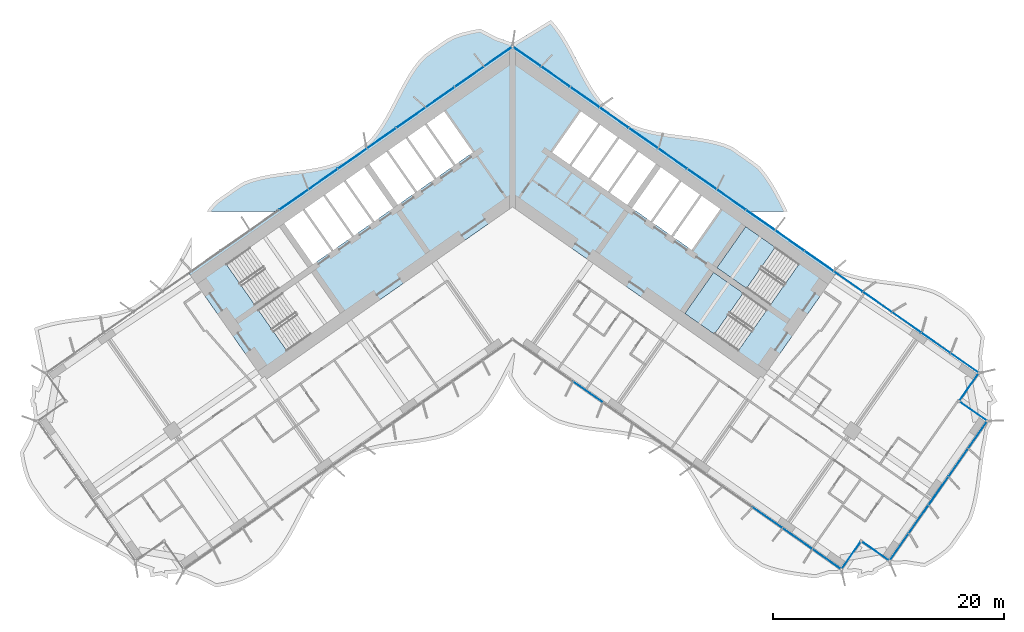
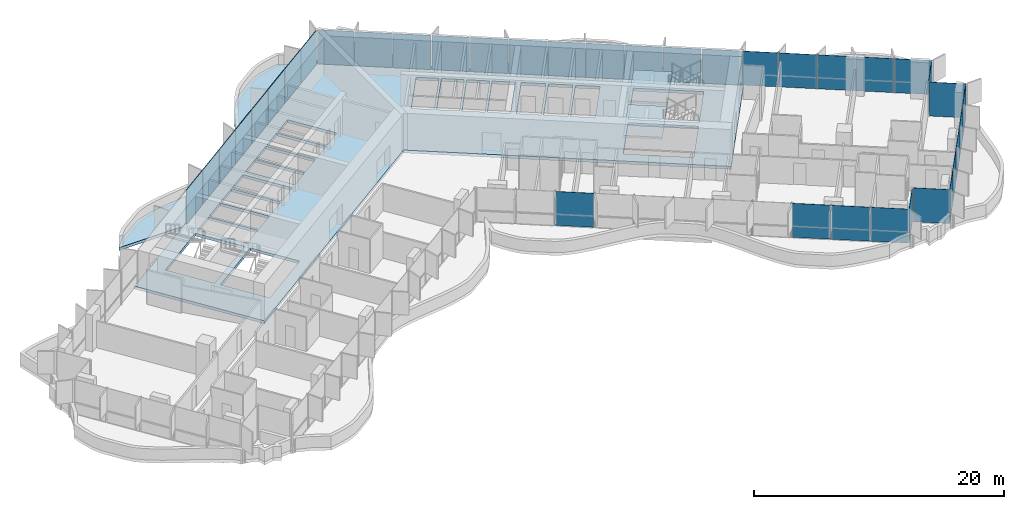
# One storey, part 11 of 23: 37 plates, 4 slabs, 4 elements without a shape of their own.
"""IFC4 building model written with IfcOpenShell, lengths in metres."""

from ifc_helpers import new_model, si_unit, direction, frame, origin, origin_2d, place, context, subcontext, project, spatial, polyline, rectangle, outline, extrude, material, layer, layer_set, type_object, element, aggregate, save


model = new_model("IFC4")

# Units and contexts
model_context = context("Model", 3, precision=1e-05, world=origin(), true_north=direction((0.0, 1.0)))
body_context = subcontext(model_context, "Body", "Model", "MODEL_VIEW")
ifc_project = project(units=[si_unit("LENGTHUNIT", "METRE"), si_unit("AREAUNIT", "SQUARE_METRE"), si_unit("VOLUMEUNIT", "CUBIC_METRE"), si_unit("PLANEANGLEUNIT", "RADIAN"), si_unit("MASSUNIT", "GRAM", prefix="KILO")], contexts=[model_context])

# Site, building, storey
site_placement = place(None, origin())
site = spatial("IfcSite", under=ifc_project, at=site_placement, CompositionType="ELEMENT")
building_placement = place(site_placement, origin())
building = spatial("IfcBuilding", under=site, at=building_placement, Name="Tel Ilan Convention Tower", CompositionType="ELEMENT")
storey_placement = place(building_placement, frame((0.0, 0.0, 119.300048828125)))
storey = spatial("IfcBuildingStorey", under=building, at=storey_placement, Name="L26", CompositionType="ELEMENT", Elevation=119.300048828125)

# Curtain wall, plates
ifc_material_1 = material(Name="Aluminium, bronze anodised", Category="aluminium")
curtain_wall_type_1 = type_object("IfcCurtainWallType", Name="CW1 UNITISED CURTAIN WALL, HOTEL TINTED GLASS", PredefinedType="NOTDEFINED", material=ifc_material_1)
curtain_wall_1_placement = place(storey_placement, origin())
curtain_wall_1 = element("IfcCurtainWall", 1, at=curtain_wall_1_placement, inside=storey, type_object=curtain_wall_type_1, Name="Curtain wall CW1-20.02", PredefinedType="NOTDEFINED")
ifc_material_2 = material(Name="Glass, bronze tinted, two-ply unitised", Category="glass")
ifc_layer_1 = layer(ifc_material_2, 0.028076171875)
ifc_layer_set_1 = layer_set([ifc_layer_1], Name="CW HOTEL GLASS PANEL 28")
plate_type_1 = type_object("IfcPlateType", Name="CW HOTEL GLASS PANEL 28", PredefinedType="CURTAIN_PANEL", material=ifc_layer_set_1)
plate_1_placement = place(storey_placement, frame((6.544921875, -17.27880859375, 0.0), z_axis=(0.0, 0.0, 1.0), x_axis=(0.819152044289, -0.573576436351, 0.0)))
plate_1 = element("IfcPlate", 2, at=plate_1_placement, type_object=plate_type_1, Name="Glass panel", PredefinedType="CURTAIN_PANEL", context=body_context, shape_type="SweptSolid", body=[
    extrude(rectangle(XDim=3.10791015625, YDim=0.028076171875, at=origin_2d()), origin(), (0.0, 0.0, 1.0), 3.320068359375),
])
plate_2_placement = place(storey_placement, frame((22.115478515625, -28.181396484375, 0.0), z_axis=(0.0, 0.0, 1.0), x_axis=(0.819152044289, -0.573576436351, 0.0)))
plate_2 = element("IfcPlate", 3, at=plate_2_placement, type_object=plate_type_1, Name="Glass panel", PredefinedType="CURTAIN_PANEL", context=body_context, shape_type="SweptSolid", body=[
    extrude(rectangle(XDim=3.10791015625, YDim=0.028076171875, at=origin_2d()), origin(), (0.0, 0.0, 1.0), 3.320068359375),
])
plate_3_placement = place(storey_placement, frame((24.71044921875, -29.99853515625, 0.0), z_axis=(0.0, 0.0, 1.0), x_axis=(0.819152044289, -0.573576436351, 0.0)))
plate_3 = element("IfcPlate", 4, at=plate_3_placement, type_object=plate_type_1, Name="Glass panel", PredefinedType="CURTAIN_PANEL", context=body_context, shape_type="SweptSolid", body=[
    extrude(rectangle(XDim=3.10791015625, YDim=0.028076171875, at=origin_2d()), origin(), (0.0, 0.0, 1.0), 3.320068359375),
])
plate_4_placement = place(storey_placement, frame((27.26708984375, -31.78857421875, 0.0), z_axis=(0.0, 0.0, 1.0), x_axis=(0.819152044289, -0.573576436351, 0.0)))
plate_4 = element("IfcPlate", 5, at=plate_4_placement, type_object=plate_type_1, Name="Glass panel", PredefinedType="CURTAIN_PANEL", context=body_context, shape_type="SweptSolid", body=[
    extrude(rectangle(XDim=3.013916015625, YDim=0.028076171875, at=origin_2d()), origin(), (0.0, 0.0, 1.0), 3.320068359375),
])
plate_5_placement = place(storey_placement, frame((29.359375, -31.469482421875, 0.0), z_axis=(0.0, 0.0, 1.0), x_axis=(0.573576436351, 0.819152044289, 0.0)))
plate_5 = element("IfcPlate", 6, at=plate_5_placement, type_object=plate_type_1, Name="Glass panel", PredefinedType="CURTAIN_PANEL", context=body_context, shape_type="SweptSolid", body=[
    extrude(rectangle(XDim=2.875, YDim=0.028076171875, at=origin_2d()), origin(), (0.0, 0.0, 1.0), 3.320068359375),
])
plate_6_placement = place(storey_placement, frame((31.502197265625, -31.091796875, 0.0), z_axis=(0.0, 0.0, 1.0), x_axis=(0.819152044289, -0.573576436351, 0.0)))
plate_6 = element("IfcPlate", 7, at=plate_6_placement, type_object=plate_type_1, Name="Glass panel", PredefinedType="CURTAIN_PANEL", context=body_context, shape_type="SweptSolid", body=[
    extrude(rectangle(XDim=2.875, YDim=0.028076171875, at=origin_2d()), origin(), (0.0, 0.0, 1.0), 3.320068359375),
])
plate_7_placement = place(storey_placement, frame((33.529296875, -30.74462890625, 0.0), z_axis=(0.0, 0.0, 1.0), x_axis=(0.573576436351, 0.819152044289, 0.0)))
plate_7 = element("IfcPlate", 8, at=plate_7_placement, type_object=plate_type_1, Name="Glass panel", PredefinedType="CURTAIN_PANEL", context=body_context, shape_type="SweptSolid", body=[
    extrude(rectangle(XDim=2.845947265625, YDim=0.028076171875, at=origin_2d()), origin(), (0.0, 0.0, 1.0), 3.320068359375),
])
plate_8_placement = place(storey_placement, frame((35.22314453125, -28.32568359375, 0.0), z_axis=(0.0, 0.0, 1.0), x_axis=(0.573576436351, 0.819152044289, 0.0)))
plate_8 = element("IfcPlate", 9, at=plate_8_placement, type_object=plate_type_1, Name="Glass panel", PredefinedType="CURTAIN_PANEL", context=body_context, shape_type="SweptSolid", body=[
    extrude(rectangle(XDim=2.93994140625, YDim=0.028076171875, at=origin_2d()), origin(), (0.0, 0.0, 1.0), 3.320068359375),
])
plate_9_placement = place(storey_placement, frame((36.94384765625, -25.868408203125, 0.0), z_axis=(0.0, 0.0, 1.0), x_axis=(0.573576436351, 0.819152044289, 0.0)))
plate_9 = element("IfcPlate", 10, at=plate_9_placement, type_object=plate_type_1, Name="Glass panel", PredefinedType="CURTAIN_PANEL", context=body_context, shape_type="SweptSolid", body=[
    extrude(rectangle(XDim=2.93994140625, YDim=0.028076171875, at=origin_2d()), origin(), (0.0, 0.0, 1.0), 3.320068359375),
])
plate_10_placement = place(storey_placement, frame((38.66455078125, -23.410888671875, 0.0), z_axis=(0.0, 0.0, 1.0), x_axis=(0.573576436351, 0.819152044289, 0.0)))
plate_10 = element("IfcPlate", 11, at=plate_10_placement, type_object=plate_type_1, Name="Glass panel", PredefinedType="CURTAIN_PANEL", context=body_context, shape_type="SweptSolid", body=[
    extrude(rectangle(XDim=2.93994140625, YDim=0.028076171875, at=origin_2d()), origin(), (0.0, 0.0, 1.0), 3.320068359375),
])
plate_11_placement = place(storey_placement, frame((40.358154296875, -20.991943359375, 0.0), z_axis=(0.0, 0.0, 1.0), x_axis=(0.573576436351, 0.819152044289, 0.0)))
plate_11 = element("IfcPlate", 12, at=plate_11_placement, type_object=plate_type_1, Name="Glass panel", PredefinedType="CURTAIN_PANEL", context=body_context, shape_type="SweptSolid", body=[
    extrude(rectangle(XDim=2.845947265625, YDim=0.028076171875, at=origin_2d()), origin(), (0.0, 0.0, 1.0), 3.320068359375),
])
plate_12_placement = place(storey_placement, frame((39.990966796875, -18.96826171875, 0.0), z_axis=(0.0, 0.0, 1.0), x_axis=(-0.819152044289, 0.573576436351, 0.0)))
plate_12 = element("IfcPlate", 13, at=plate_12_placement, type_object=plate_type_1, Name="Glass panel", PredefinedType="CURTAIN_PANEL", context=body_context, shape_type="SweptSolid", body=[
    extrude(rectangle(XDim=2.875, YDim=0.028076171875, at=origin_2d()), origin(), (0.0, 0.0, 1.0), 3.320068359375),
])
plate_13_placement = place(storey_placement, frame((39.61328125, -16.82568359375, 0.0), z_axis=(0.0, 0.0, 1.0), x_axis=(0.573576436351, 0.819152044289, 0.0)))
plate_13 = element("IfcPlate", 14, at=plate_13_placement, type_object=plate_type_1, Name="Glass panel", PredefinedType="CURTAIN_PANEL", context=body_context, shape_type="SweptSolid", body=[
    extrude(rectangle(XDim=2.875, YDim=0.028076171875, at=origin_2d()), origin(), (0.0, 0.0, 1.0), 3.320068359375),
])
plate_14_placement = place(storey_placement, frame((39.2265625, -14.7705078125, 0.0), z_axis=(0.0, 0.0, 1.0), x_axis=(-0.819152044289, 0.573576436351, 0.0)))
plate_14 = element("IfcPlate", 15, at=plate_14_placement, type_object=plate_type_1, Name="Glass panel", PredefinedType="CURTAIN_PANEL", context=body_context, shape_type="SweptSolid", body=[
    extrude(rectangle(XDim=2.943115234375, YDim=0.028076171875, at=origin_2d()), origin(), (0.0, 0.0, 1.0), 3.320068359375),
])
plate_15_placement = place(storey_placement, frame((36.72802734375, -13.021240234375, 0.0), z_axis=(0.0, 0.0, 1.0), x_axis=(-0.819152044289, 0.573576436351, 0.0)))
plate_15 = element("IfcPlate", 16, at=plate_15_placement, type_object=plate_type_1, Name="Glass panel", PredefinedType="CURTAIN_PANEL", context=body_context, shape_type="SweptSolid", body=[
    extrude(rectangle(XDim=3.037109375, YDim=0.028076171875, at=origin_2d()), origin(), (0.0, 0.0, 1.0), 3.320068359375),
])
plate_16_placement = place(storey_placement, frame((34.191162109375, -11.244873046875, 0.0), z_axis=(0.0, 0.0, 1.0), x_axis=(-0.819152044289, 0.573576436351, 0.0)))
plate_16 = element("IfcPlate", 17, at=plate_16_placement, type_object=plate_type_1, Name="Glass panel", PredefinedType="CURTAIN_PANEL", context=body_context, shape_type="SweptSolid", body=[
    extrude(rectangle(XDim=3.037109375, YDim=0.028076171875, at=origin_2d()), origin(), (0.0, 0.0, 1.0), 3.320068359375),
])
plate_17_placement = place(storey_placement, frame((31.654296875, -9.468505859375, 0.0), z_axis=(0.0, 0.0, 1.0), x_axis=(-0.819152044289, 0.573576436351, 0.0)))
plate_17 = element("IfcPlate", 18, at=plate_17_placement, type_object=plate_type_1, Name="Glass panel", PredefinedType="CURTAIN_PANEL", context=body_context, shape_type="SweptSolid", body=[
    extrude(rectangle(XDim=3.037109375, YDim=0.028076171875, at=origin_2d()), origin(), (0.0, 0.0, 1.0), 3.320068359375),
])
plate_18_placement = place(storey_placement, frame((29.1171875, -7.692138671875, 0.0), z_axis=(0.0, 0.0, 1.0), x_axis=(-0.819152044289, 0.573576436351, 0.0)))
plate_18 = element("IfcPlate", 19, at=plate_18_placement, type_object=plate_type_1, Name="Glass panel", PredefinedType="CURTAIN_PANEL", context=body_context, shape_type="SweptSolid", body=[
    extrude(rectangle(XDim=3.037109375, YDim=0.028076171875, at=origin_2d()), origin(), (0.0, 0.0, 1.0), 3.320068359375),
])
aggregate(curtain_wall_1, [plate_1, plate_2, plate_3, plate_4, plate_5, plate_6, plate_7, plate_8, plate_9, plate_10, plate_11, plate_12, plate_13, plate_14, plate_15, plate_16, plate_17, plate_18])

ifc_material_3 = material(Name="Aluminium, bronze anodised", Category="aluminium")
curtain_wall_type_2 = type_object("IfcCurtainWallType", Name="CW2 STICK CURTAIN WALL, SPANDREL PANELS", PredefinedType="NOTDEFINED", material=ifc_material_3)
curtain_wall_2_placement = place(storey_placement, origin())
curtain_wall_2 = element("IfcCurtainWall", 20, at=curtain_wall_2_placement, inside=storey, type_object=curtain_wall_type_2, Name="Curtain wall CW2-20.01", PredefinedType="NOTDEFINED")
ifc_material_4 = material(Name="Aluminium composite panel, bronze anodised", Category="aluminium")
ifc_layer_2 = layer(ifc_material_4, 0.06005859375)
ifc_layer_set_2 = layer_set([ifc_layer_2], Name="CW SPANDREL PANEL 60")
plate_type_2 = type_object("IfcPlateType", Name="CW SPANDREL PANEL 60", PredefinedType="CURTAIN_PANEL", material=ifc_layer_set_2)
plate_19_placement = place(storey_placement, frame((26.580322265625, -5.915771484375, 0.0), z_axis=(0.0, 0.0, 1.0), x_axis=(-0.819152044289, 0.573576436351, 0.0)))
plate_19 = element("IfcPlate", 21, at=plate_19_placement, type_object=plate_type_2, Name="Spandrel panel", PredefinedType="CURTAIN_PANEL", context=body_context, shape_type="SweptSolid", body=[
    extrude(rectangle(XDim=3.037109375, YDim=0.06005859375, at=origin_2d()), origin(), (0.0, 0.0, 1.0), 3.320068359375),
])
plate_20_placement = place(storey_placement, frame((24.04345703125, -4.139404296875, 0.0), z_axis=(0.0, 0.0, 1.0), x_axis=(-0.819152044289, 0.573576436351, 0.0)))
plate_20 = element("IfcPlate", 22, at=plate_20_placement, type_object=plate_type_2, Name="Spandrel panel", PredefinedType="CURTAIN_PANEL", context=body_context, shape_type="SweptSolid", body=[
    extrude(rectangle(XDim=3.037109375, YDim=0.06005859375, at=origin_2d()), origin(), (0.0, 0.0, 1.0), 3.320068359375),
])
plate_21_placement = place(storey_placement, frame((21.506591796875, -2.363037109375, 0.0), z_axis=(0.0, 0.0, 1.0), x_axis=(-0.819152044289, 0.573576436351, 0.0)))
plate_21 = element("IfcPlate", 23, at=plate_21_placement, type_object=plate_type_2, Name="Spandrel panel", PredefinedType="CURTAIN_PANEL", context=body_context, shape_type="SweptSolid", body=[
    extrude(rectangle(XDim=3.037109375, YDim=0.06005859375, at=origin_2d()), origin(), (0.0, 0.0, 1.0), 3.320068359375),
])
plate_22_placement = place(storey_placement, frame((18.969482421875, -0.586669921875, 0.0), z_axis=(0.0, 0.0, 1.0), x_axis=(-0.819152044289, 0.573576436351, 0.0)))
plate_22 = element("IfcPlate", 24, at=plate_22_placement, type_object=plate_type_2, Name="Spandrel panel", PredefinedType="CURTAIN_PANEL", context=body_context, shape_type="SweptSolid", body=[
    extrude(rectangle(XDim=3.037109375, YDim=0.06005859375, at=origin_2d()), origin(), (0.0, 0.0, 1.0), 3.320068359375),
])
plate_23_placement = place(storey_placement, frame((16.4326171875, 1.189697265625, 0.0), z_axis=(0.0, 0.0, 1.0), x_axis=(-0.819152044289, 0.573576436351, 0.0)))
plate_23 = element("IfcPlate", 25, at=plate_23_placement, type_object=plate_type_2, Name="Spandrel panel", PredefinedType="CURTAIN_PANEL", context=body_context, shape_type="SweptSolid", body=[
    extrude(rectangle(XDim=3.037109375, YDim=0.06005859375, at=origin_2d()), origin(), (0.0, 0.0, 1.0), 3.320068359375),
])
plate_24_placement = place(storey_placement, frame((13.895751953125, 2.966064453125, 0.0), z_axis=(0.0, 0.0, 1.0), x_axis=(-0.819152044289, 0.573576436351, 0.0)))
plate_24 = element("IfcPlate", 26, at=plate_24_placement, type_object=plate_type_2, Name="Spandrel panel", PredefinedType="CURTAIN_PANEL", context=body_context, shape_type="SweptSolid", body=[
    extrude(rectangle(XDim=3.037109375, YDim=0.06005859375, at=origin_2d()), origin(), (0.0, 0.0, 1.0), 3.320068359375),
])
plate_25_placement = place(storey_placement, frame((11.35888671875, 4.742431640625, 0.0), z_axis=(0.0, 0.0, 1.0), x_axis=(-0.819152044289, 0.573576436351, 0.0)))
plate_25 = element("IfcPlate", 27, at=plate_25_placement, type_object=plate_type_2, Name="Spandrel panel", PredefinedType="CURTAIN_PANEL", context=body_context, shape_type="SweptSolid", body=[
    extrude(rectangle(XDim=3.037109375, YDim=0.06005859375, at=origin_2d()), origin(), (0.0, 0.0, 1.0), 3.320068359375),
])
plate_26_placement = place(storey_placement, frame((8.82177734375, 6.518798828125, 0.0), z_axis=(0.0, 0.0, 1.0), x_axis=(-0.819152044289, 0.573576436351, 0.0)))
plate_26 = element("IfcPlate", 28, at=plate_26_placement, type_object=plate_type_2, Name="Spandrel panel", PredefinedType="CURTAIN_PANEL", context=body_context, shape_type="SweptSolid", body=[
    extrude(rectangle(XDim=3.037109375, YDim=0.06005859375, at=origin_2d()), origin(), (0.0, 0.0, 1.0), 3.320068359375),
])
plate_27_placement = place(storey_placement, frame((6.284912109375, 8.295166015625, 0.0), z_axis=(0.0, 0.0, 1.0), x_axis=(-0.819152044289, 0.573576436351, 0.0)))
plate_27 = element("IfcPlate", 29, at=plate_27_placement, type_object=plate_type_2, Name="Spandrel panel", PredefinedType="CURTAIN_PANEL", context=body_context, shape_type="SweptSolid", body=[
    extrude(rectangle(XDim=3.037109375, YDim=0.06005859375, at=origin_2d()), origin(), (0.0, 0.0, 1.0), 3.320068359375),
])
plate_28_placement = place(storey_placement, frame((3.748046875, 10.07177734375, 0.0), z_axis=(0.0, 0.0, 1.0), x_axis=(-0.819152044289, 0.573576436351, 0.0)))
plate_28 = element("IfcPlate", 30, at=plate_28_placement, type_object=plate_type_2, Name="Spandrel panel", PredefinedType="CURTAIN_PANEL", context=body_context, shape_type="SweptSolid", body=[
    extrude(rectangle(XDim=3.037109375, YDim=0.06005859375, at=origin_2d()), origin(), (0.0, 0.0, 1.0), 3.320068359375),
])
plate_29_placement = place(storey_placement, frame((1.256103515625, 11.81640625, 0.0), z_axis=(0.0, 0.0, 1.0), x_axis=(-0.819152044289, 0.573576436351, 0.0)))
plate_29 = element("IfcPlate", 31, at=plate_29_placement, type_object=plate_type_2, Name="Spandrel panel", PredefinedType="CURTAIN_PANEL", context=body_context, shape_type="SweptSolid", body=[
    extrude(rectangle(XDim=2.927001953125, YDim=0.06005859375, at=origin_2d()), origin(), (0.0, 0.0, 1.0), 3.320068359375),
])
plate_30_placement = place(storey_placement, frame((-1.256103515625, 11.81640625, 0.0), z_axis=(0.0, 0.0, 1.0), x_axis=(-0.819152044289, -0.573576436351, 0.0)))
plate_30 = element("IfcPlate", 32, at=plate_30_placement, type_object=plate_type_2, Name="Spandrel panel", PredefinedType="CURTAIN_PANEL", context=body_context, shape_type="SweptSolid", body=[
    extrude(rectangle(XDim=2.927001953125, YDim=0.06005859375, at=origin_2d()), origin(), (0.0, 0.0, 1.0), 3.320068359375),
])
plate_31_placement = place(storey_placement, frame((-3.748046875, 10.07177734375, 0.0), z_axis=(0.0, 0.0, 1.0), x_axis=(-0.819152044289, -0.573576436351, 0.0)))
plate_31 = element("IfcPlate", 33, at=plate_31_placement, type_object=plate_type_2, Name="Spandrel panel", PredefinedType="CURTAIN_PANEL", context=body_context, shape_type="SweptSolid", body=[
    extrude(rectangle(XDim=3.037109375, YDim=0.06005859375, at=origin_2d()), origin(), (0.0, 0.0, 1.0), 3.320068359375),
])
plate_32_placement = place(storey_placement, frame((-6.284912109375, 8.295166015625, 0.0), z_axis=(0.0, 0.0, 1.0), x_axis=(-0.819152044289, -0.573576436351, 0.0)))
plate_32 = element("IfcPlate", 34, at=plate_32_placement, type_object=plate_type_2, Name="Spandrel panel", PredefinedType="CURTAIN_PANEL", context=body_context, shape_type="SweptSolid", body=[
    extrude(rectangle(XDim=3.037109375, YDim=0.06005859375, at=origin_2d()), origin(), (0.0, 0.0, 1.0), 3.320068359375),
])
plate_33_placement = place(storey_placement, frame((-8.82177734375, 6.518798828125, 0.0), z_axis=(0.0, 0.0, 1.0), x_axis=(-0.819152044289, -0.573576436351, 0.0)))
plate_33 = element("IfcPlate", 35, at=plate_33_placement, type_object=plate_type_2, Name="Spandrel panel", PredefinedType="CURTAIN_PANEL", context=body_context, shape_type="SweptSolid", body=[
    extrude(rectangle(XDim=3.037109375, YDim=0.06005859375, at=origin_2d()), origin(), (0.0, 0.0, 1.0), 3.320068359375),
])
plate_34_placement = place(storey_placement, frame((-11.35888671875, 4.742431640625, 0.0), z_axis=(0.0, 0.0, 1.0), x_axis=(-0.819152044289, -0.573576436351, 0.0)))
plate_34 = element("IfcPlate", 36, at=plate_34_placement, type_object=plate_type_2, Name="Spandrel panel", PredefinedType="CURTAIN_PANEL", context=body_context, shape_type="SweptSolid", body=[
    extrude(rectangle(XDim=3.037109375, YDim=0.06005859375, at=origin_2d()), origin(), (0.0, 0.0, 1.0), 3.320068359375),
])
plate_35_placement = place(storey_placement, frame((-13.895751953125, 2.966064453125, 0.0), z_axis=(0.0, 0.0, 1.0), x_axis=(-0.819152044289, -0.573576436351, 0.0)))
plate_35 = element("IfcPlate", 37, at=plate_35_placement, type_object=plate_type_2, Name="Spandrel panel", PredefinedType="CURTAIN_PANEL", context=body_context, shape_type="SweptSolid", body=[
    extrude(rectangle(XDim=3.037109375, YDim=0.06005859375, at=origin_2d()), origin(), (0.0, 0.0, 1.0), 3.320068359375),
])
plate_36_placement = place(storey_placement, frame((-16.4326171875, 1.189697265625, 0.0), z_axis=(0.0, 0.0, 1.0), x_axis=(-0.819152044289, -0.573576436351, 0.0)))
plate_36 = element("IfcPlate", 38, at=plate_36_placement, type_object=plate_type_2, Name="Spandrel panel", PredefinedType="CURTAIN_PANEL", context=body_context, shape_type="SweptSolid", body=[
    extrude(rectangle(XDim=3.037109375, YDim=0.06005859375, at=origin_2d()), origin(), (0.0, 0.0, 1.0), 3.320068359375),
])
plate_37_placement = place(storey_placement, frame((-18.969482421875, -0.586669921875, 0.0), z_axis=(0.0, 0.0, 1.0), x_axis=(-0.819152044289, -0.573576436351, 0.0)))
plate_37 = element("IfcPlate", 39, at=plate_37_placement, type_object=plate_type_2, Name="Spandrel panel", PredefinedType="CURTAIN_PANEL", context=body_context, shape_type="SweptSolid", body=[
    extrude(rectangle(XDim=3.037109375, YDim=0.06005859375, at=origin_2d()), origin(), (0.0, 0.0, 1.0), 3.320068359375),
])
aggregate(curtain_wall_2, [plate_19, plate_20, plate_21, plate_22, plate_23, plate_24, plate_25, plate_26, plate_27, plate_28, plate_29, plate_30, plate_31, plate_32, plate_33, plate_34, plate_35, plate_36, plate_37])

# Stair, slab
ifc_material_5 = material(Name="Concrete C40/50", Category="concrete")
stair_type = type_object("IfcStairType", Name="Pressurised Exit Stair 20 risers 180 mm", PredefinedType="HALF_TURN_STAIR", material=ifc_material_5)
stair_1_placement = place(storey_placement, origin())
stair_1 = element("IfcStair", 40, at=stair_1_placement, inside=storey, type_object=stair_type, Name="L26 Pressurised Stair S3", PredefinedType="HALF_TURN_STAIR")
ifc_material_6 = material(Name="Concrete C40/50", Category="concrete")
ifc_layer_3 = layer(ifc_material_6, 0.199951171875)
ifc_layer_set_3 = layer_set([ifc_layer_3], Name="Concrete Stair Landing 200 mm C40/50")
slab_type_1 = type_object("IfcSlabType", Name="Concrete Stair Landing 200 mm", PredefinedType="LANDING", material=ifc_layer_set_3)
slab_1_placement = place(storey_placement, frame((0.0, 0.0, 1.599853515625)))
slab_1 = element("IfcSlab", 41, at=slab_1_placement, type_object=slab_type_1, Name="S3 landing 1", PredefinedType="LANDING", context=body_context, shape_type="SweptSolid", body=[
    extrude(outline(polyline([(22.791015625, -4.727294921875), (20.226318359375, -2.931640625), (17.7314453125, -6.494873046875), (20.2958984375, -8.29052734375), (22.791015625, -4.727294921875)])), origin(), (0.0, 0.0, 1.0), 0.2001953125),
])
aggregate(stair_1, [slab_1])

stair_2_placement = place(storey_placement, origin())
stair_2 = element("IfcStair", 42, at=stair_2_placement, inside=storey, type_object=stair_type, Name="L26 Pressurised Stair S4", PredefinedType="HALF_TURN_STAIR")
slab_2_placement = place(storey_placement, frame((0.0, 0.0, 1.599853515625)))
slab_2 = element("IfcSlab", 43, at=slab_2_placement, type_object=slab_type_1, Name="S4 landing 1", PredefinedType="LANDING", context=body_context, shape_type="SweptSolid", body=[
    extrude(outline(polyline([(20.00927734375, -8.7001953125), (17.444580078125, -6.904541015625), (14.949462890625, -10.4677734375), (17.51416015625, -12.263427734375), (20.00927734375, -8.7001953125)])), origin(), (0.0, 0.0, 1.0), 0.2001953125),
])
aggregate(stair_2, [slab_2])

# Slabs
ifc_material_7 = material(Name="Concrete C40/50", Category="concrete")
ifc_layer_4 = layer(ifc_material_7, 0.280029296875)
ifc_layer_set_4 = layer_set([ifc_layer_4], Name="Core Floor Slab 280 mm C40/50")
slab_type_2 = type_object("IfcSlabType", Name="Core Floor Slab 280 mm C40/50", PredefinedType="FLOOR", material=ifc_layer_set_4)
slab_3_placement = place(storey_placement, frame((0.0, 0.0, -0.280029296875)))
element("IfcSlab", 44, at=slab_3_placement, inside=storey, type_object=slab_type_2, Name="L26 core floor 1", PredefinedType="FLOOR", context=body_context, shape_type="SweptSolid", body=[
    extrude(outline(polyline([(-28.1396484375, -6.885498046875), (0.0, 12.818115234375), (28.1396484375, -6.885498046875), (21.54345703125, -16.3056640625), (0.0, -1.220703125), (-21.54345703125, -16.3056640625), (-28.1396484375, -6.885498046875)]), holes=[polyline([(-14.949462890625, -10.4677734375), (-17.444580078125, -6.904541015625), (-22.072021484375, -10.144775390625), (-19.5771484375, -13.7080078125), (-14.949462890625, -10.4677734375)]), polyline([(-17.7314453125, -6.494873046875), (-20.226318359375, -2.931640625), (-24.85400390625, -6.171875), (-22.35888671875, -9.735107421875), (-17.7314453125, -6.494873046875)]), polyline([(-18.198974609375, -1.511962890625), (-19.81689453125, -2.644775390625), (-17.32177734375, -6.2080078125), (-15.7041015625, -5.0751953125), (-18.198974609375, -1.511962890625)]), polyline([(-16.41748046875, -0.264404296875), (-18.03515625, -1.397216796875), (-15.5400390625, -4.960693359375), (-13.92236328125, -3.827880859375), (-16.41748046875, -0.264404296875)]), polyline([(-14.6357421875, 0.983154296875), (-16.25341796875, -0.149658203125), (-13.758544921875, -3.712890625), (-12.140625, -2.580078125), (-14.6357421875, 0.983154296875)]), polyline([(-12.85400390625, 2.230712890625), (-14.471923828125, 1.097900390625), (-11.976806640625, -2.465576171875), (-10.35888671875, -1.332763671875), (-12.85400390625, 2.230712890625)]), polyline([(-10.939208984375, 3.5712890625), (-12.444580078125, 2.517333984375), (-9.949462890625, -1.0458984375), (-8.444091796875, 0.008056640625), (-10.939208984375, 3.5712890625)]), polyline([(-6.775146484375, 1.1767578125), (-9.270263671875, 4.739990234375), (-10.775390625, 3.68603515625), (-8.280517578125, 0.122802734375), (-6.775146484375, 1.1767578125)]), polyline([(-5.106201171875, 2.345458984375), (-7.601318359375, 5.90869140625), (-9.1064453125, 4.854736328125), (-6.611328125, 1.29150390625), (-5.106201171875, 2.345458984375)]), polyline([(-5.93212890625, 7.077392578125), (-7.4375, 6.0234375), (-4.9423828125, 2.460205078125), (-3.437255859375, 3.513916015625), (-5.93212890625, 7.077392578125)]), polyline([(17.444580078125, -6.904541015625), (14.949462890625, -10.4677734375), (19.5771484375, -13.7080078125), (22.072021484375, -10.144775390625), (17.444580078125, -6.904541015625)]), polyline([(20.226318359375, -2.931640625), (17.7314453125, -6.494873046875), (22.35888671875, -9.735107421875), (24.85400390625, -6.171875), (20.226318359375, -2.931640625)]), polyline([(13.92236328125, -3.827880859375), (15.5400390625, -4.960693359375), (18.03515625, -1.397216796875), (16.41748046875, -0.264404296875), (13.92236328125, -3.827880859375)]), polyline([(12.140625, -2.580078125), (13.758544921875, -3.712890625), (16.25341796875, -0.149658203125), (14.6357421875, 0.983154296875), (12.140625, -2.580078125)]), polyline([(11.976806640625, -2.465576171875), (14.471923828125, 1.097900390625), (12.85400390625, 2.230712890625), (10.35888671875, -1.332763671875), (11.976806640625, -2.465576171875)]), polyline([(9.949462890625, -1.0458984375), (12.444580078125, 2.517333984375), (10.939208984375, 3.5712890625), (8.444091796875, 0.008056640625), (9.949462890625, -1.0458984375)]), polyline([(8.280517578125, 0.122802734375), (10.775390625, 3.68603515625), (9.270263671875, 4.739990234375), (6.775146484375, 1.1767578125), (8.280517578125, 0.122802734375)]), polyline([(5.106201171875, 2.345458984375), (6.611328125, 1.29150390625), (9.1064453125, 4.854736328125), (7.601318359375, 5.90869140625), (5.106201171875, 2.345458984375)]), polyline([(3.437255859375, 3.513916015625), (4.9423828125, 2.460205078125), (7.4375, 6.0234375), (5.93212890625, 7.077392578125), (3.437255859375, 3.513916015625)])]), origin(), (0.0, 0.0, 1.0), 0.280029296875),
])
ifc_material_8 = material(Name="Concrete C40/50", Category="concrete")
ifc_layer_5 = layer(ifc_material_8, 0.280029296875)
ifc_layer_set_5 = layer_set([ifc_layer_5], Name="Edge Ledge Slab 280 mm C40/50")
slab_type_3 = type_object("IfcSlabType", Name="Edge Ledge Slab 280 mm C40/50", PredefinedType="FLOOR", material=ifc_layer_set_5)
slab_4_placement = place(storey_placement, frame((0.0, 0.0, -0.280029296875)))
element("IfcSlab", 45, at=slab_4_placement, inside=storey, type_object=slab_type_3, Name="L26 edge ledge 2", PredefinedType="FLOOR", context=body_context, shape_type="SweptSolid", body=[
    extrude(outline(polyline([(-23.301513671875, 0.96630859375), (-22.57568359375, 1.218994140625), (-21.812744140625, 1.4189453125), (-21.02001953125, 1.576171875), (-20.205810546875, 1.70263671875), (-19.37890625, 1.811279296875), (-18.5498046875, 1.91650390625), (-17.727783203125, 2.0322265625), (-16.923095703125, 2.172119140625), (-16.14404296875, 2.34912109375), (-15.398681640625, 2.573974609375), (-14.7119140625, 2.8828125), (-12.89453125, 4.155517578125), (-12.326416015625, 4.6337890625), (-11.845703125, 5.236572265625), (-11.401123046875, 5.89111328125), (-10.985595703125, 6.5869140625), (-10.59033203125, 7.311767578125), (-10.206298828125, 8.052734375), (-9.823486328125, 8.79541015625), (-9.431884765625, 9.52587890625), (-9.022216796875, 10.230224609375), (-8.585693359375, 10.896240234375), (-8.11474609375, 11.512939453125), (-7.57470703125, 12.031005859375), (-5.757080078125, 13.3037109375), (-5.10009765625, 13.654541015625), (-4.364013671875, 13.89306640625), (-3.593017578125, 14.0810546875), (-2.793212890625, 14.228271484375), (-1.3642578125, 13.47705078125), (-0.172119140625, 13.06396484375), (-0.168701171875, 13.05908203125), (-0.11474609375, 13.09521484375), (0.0, 13.1181640625), (0.11474609375, 13.09521484375), (0.168701171875, 13.05908203125), (0.172119140625, 13.06396484375), (1.732666015625, 14.003173828125), (3.331787109375, 14.997802734375), (3.8291015625, 14.418212890625), (4.28662109375, 13.7822265625), (4.71240234375, 13.100830078125), (5.1142578125, 12.385498046875), (5.50146484375, 11.64892578125), (5.883544921875, 10.9052734375), (6.2705078125, 10.168701171875), (6.672119140625, 9.452880859375), (7.09765625, 8.770751953125), (7.5546875, 8.134033203125), (8.050048828125, 7.55224609375), (8.65380859375, 7.125), (9.865478515625, 6.276611328125), (10.483642578125, 5.8701171875), (11.20458984375, 5.610107421875), (11.963134765625, 5.404052734375), (12.75244140625, 5.241943359375), (13.564697265625, 5.1123046875), (14.390380859375, 5.002197265625), (15.2197265625, 4.8974609375), (16.043212890625, 4.78369140625), (16.8505859375, 4.647705078125), (17.63330078125, 4.47607421875), (18.38330078125, 4.2578125), (19.08544921875, 3.97119140625), (20.903076171875, 2.698486328125), (21.484130859375, 2.239013671875), (21.9697265625, 1.643310546875), (22.418701171875, 0.99462890625), (22.83740234375, 0.3037109375), (23.23486328125, -0.41845703125), (23.619873046875, -1.158203125), (23.86328125, -1.631591796875), (20.63623046875, -1.631591796875), (0.0, 12.818115234375), (-20.63623046875, -1.631591796875), (-26.53369140625, -1.631591796875), (-26.25927734375, -1.2568359375), (-25.749755859375, -0.695068359375), (-23.93212890625, 0.577392578125), (-23.301513671875, 0.96630859375)])), origin(), (0.0, 0.0, 1.0), 0.280029296875),
])

save(model, "model.ifc")
